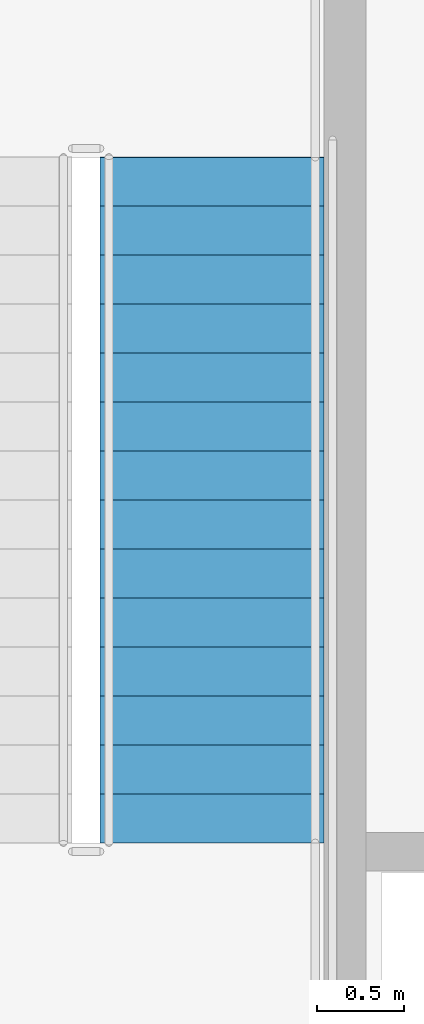
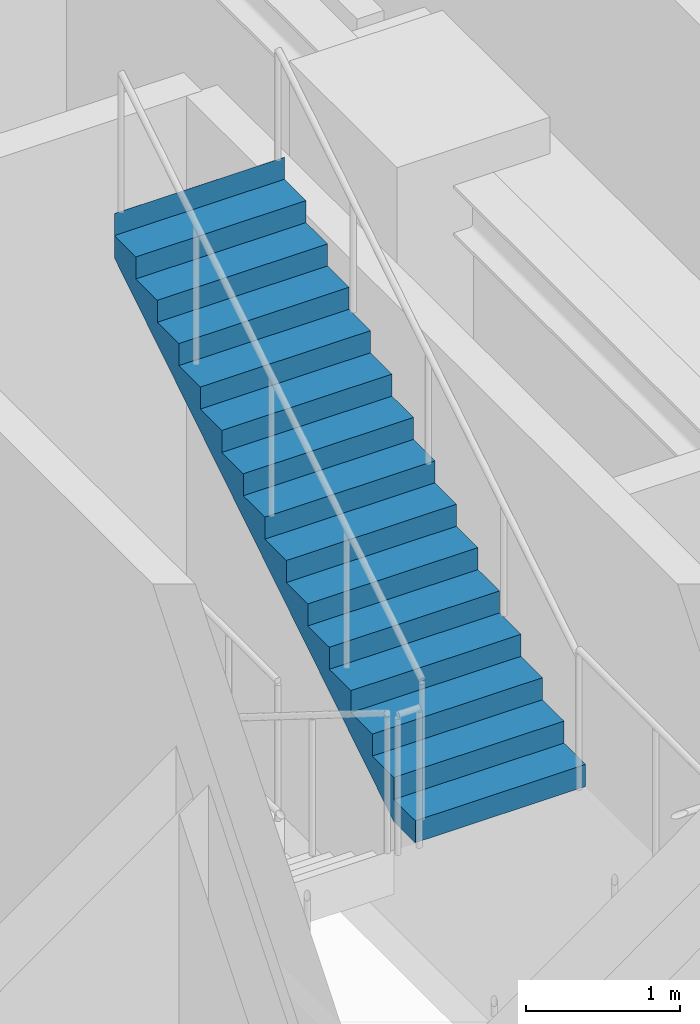
# One storey, part 9 of 13: 1 stair flight, 1 element without a shape of its own.
"""IFC4 building model written with IfcOpenShell, lengths in metres."""

from ifc_helpers import new_model, si_unit, direction, frame, origin, place, context, subcontext, project, spatial, polyline, outline, extrude, material, type_object, element, aggregate, save


model = new_model("IFC4")

# Units and contexts
model_context = context("Model", 3, precision=1e-05, world=origin(), true_north=direction((0.0, 1.0)))
body_context = subcontext(model_context, "Body", "Model", "MODEL_VIEW")
ifc_project = project(units=[si_unit("LENGTHUNIT", "METRE"), si_unit("AREAUNIT", "SQUARE_METRE"), si_unit("VOLUMEUNIT", "CUBIC_METRE"), si_unit("PLANEANGLEUNIT", "RADIAN"), si_unit("MASSUNIT", "GRAM", prefix="KILO")], contexts=[model_context])

# Site, building, storey
site_placement = place(None, origin())
site = spatial("IfcSite", under=ifc_project, at=site_placement, CompositionType="ELEMENT")
building_placement = place(site_placement, origin())
building = spatial("IfcBuilding", under=site, at=building_placement, Name="Ndelora Gate Hotel", CompositionType="ELEMENT")
storey_placement = place(building_placement, frame((0.0, 0.0, 83.0)))
storey = spatial("IfcBuildingStorey", under=building, at=storey_placement, Name="L20", CompositionType="ELEMENT", Elevation=83.0)

# Stair, stair flight
ifc_material = material(Name="Precast concrete C40/50", Category="concrete")
stair_type = type_object("IfcStairType", Name="STR-DOG-CORE", PredefinedType="HALF_TURN_STAIR", material=ifc_material)
stair_placement = place(storey_placement, origin())
stair = element("IfcStair", 1, at=stair_placement, inside=storey, type_object=stair_type, Name="L20 Protected Core Exit Stair ST5", PredefinedType="HALF_TURN_STAIR")
stair_flight_type = type_object("IfcStairFlightType", Name="STF-PRECAST", PredefinedType="STRAIGHT", material=ifc_material)
stair_flight_placement = place(storey_placement, frame((6.2099609375, -4.14990234375, 2.625), z_axis=(0.0, 0.0, 1.0), x_axis=(0.0, 1.0, 0.0)))
stair_flight = element("IfcStairFlight", 2, at=stair_flight_placement, type_object=stair_flight_type, Name="ST5 flight 2", NumberOfRisers=15, NumberOfTreads=14, PredefinedType="STRAIGHT", RiserHeight=0.175, TreadLength=0.28, context=body_context, shape_type="SweptSolid", body=[
    extrude(outline(polyline([(-0.00048828125, 0.0), (-0.00048828125, 0.175048828125), (0.0, 0.175048828125), (0.280029296875, 0.175048828125), (0.280029296875, 0.35009765625), (0.56005859375, 0.35009765625), (0.56005859375, 0.52490234375), (0.840087890625, 0.52490234375), (0.840087890625, 0.699951171875), (1.1201171875, 0.699951171875), (1.1201171875, 0.875), (1.39990234375, 0.875), (1.39990234375, 1.050048828125), (1.679931640625, 1.050048828125), (1.679931640625, 1.22509765625), (1.9599609375, 1.22509765625), (1.9599609375, 1.39990234375), (2.239990234375, 1.39990234375), (2.239990234375, 1.574951171875), (2.52001953125, 1.574951171875), (2.52001953125, 1.75), (2.800048828125, 1.75), (2.800048828125, 1.925048828125), (3.080078125, 1.925048828125), (3.080078125, 2.10009765625), (3.360107421875, 2.10009765625), (3.360107421875, 2.27490234375), (3.639892578125, 2.27490234375), (3.639892578125, 2.449951171875), (3.919921875, 2.449951171875), (3.919921875, 2.625), (3.920654296875, 2.625), (3.920654296875, 2.445068359375), (3.919921875, 2.273193359375), (0.28271484375, 0.0), (-0.00048828125, 0.0)])), frame((0.0, 0.64013671875, 0.0), z_axis=(0.0, -1.0, 0.0), x_axis=(1.0, 0.0, 0.0)), (0.0, 0.0, 1.0), 1.280029296875),
])
aggregate(stair, [stair_flight])

save(model, "model.ifc")
